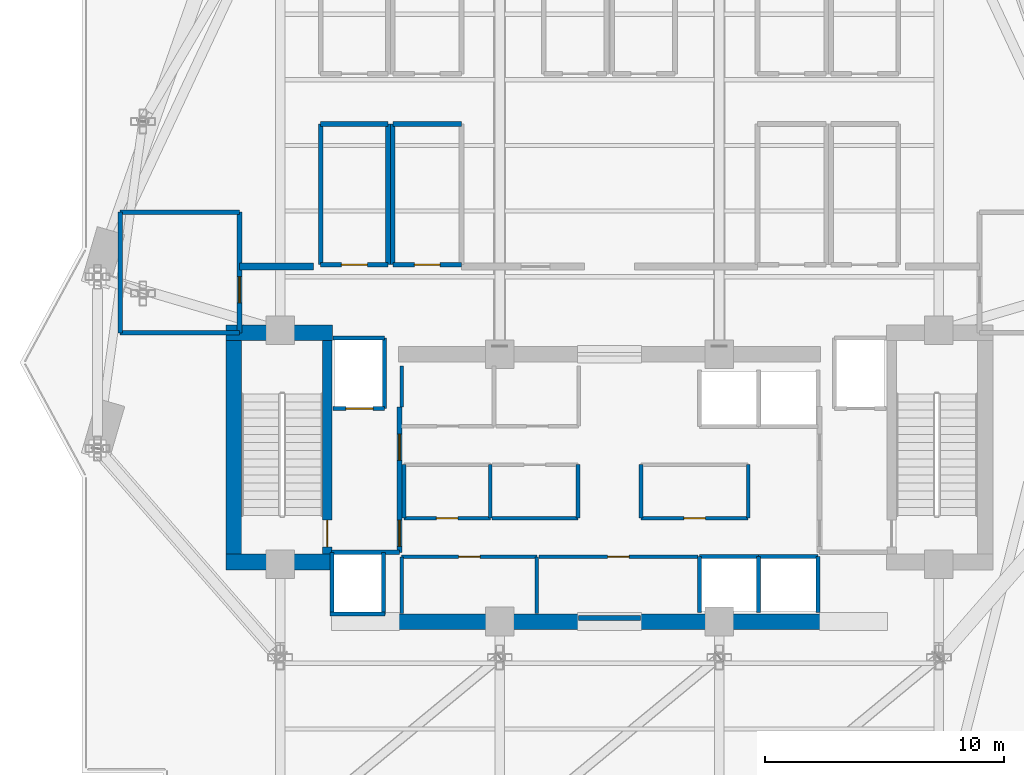
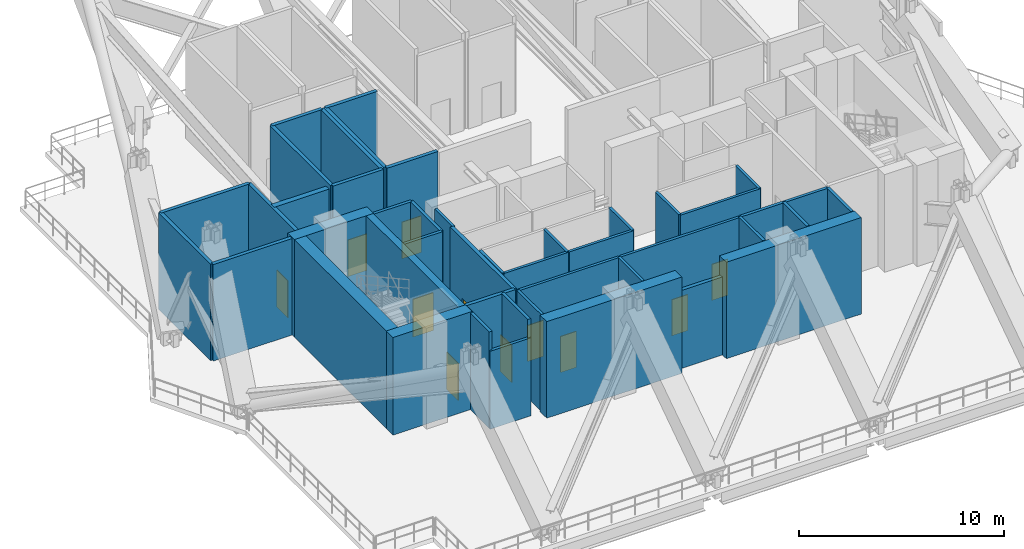
# One storey, part 12 of 18: 45 walls, 11 doors, 11 openings.
"""IFC4 building model written with IfcOpenShell, lengths in metres."""

from ifc_helpers import new_model, si_unit, direction, frame, frame_2d, origin, place, context, subcontext, project, spatial, rectangle, extrude, material, layer, layer_set, type_object, element, fill, save


model = new_model("IFC4")

# Units and contexts
model_context = context("Model", 3, precision=1e-05, world=origin(), true_north=direction((0.0, 1.0)))
body_context = subcontext(model_context, "Body", "Model", "MODEL_VIEW")
ifc_project = project(units=[si_unit("LENGTHUNIT", "METRE"), si_unit("AREAUNIT", "SQUARE_METRE"), si_unit("VOLUMEUNIT", "CUBIC_METRE"), si_unit("PLANEANGLEUNIT", "RADIAN"), si_unit("MASSUNIT", "GRAM", prefix="KILO")], contexts=[model_context])

# Site, building, storey
site_placement = place(None, origin())
site = spatial("IfcSite", under=ifc_project, at=site_placement, CompositionType="ELEMENT")
building_placement = place(site_placement, origin())
building = spatial("IfcBuilding", under=site, at=building_placement, Name="Zuhayl Quay Hotel", CompositionType="ELEMENT")
storey_placement = place(building_placement, frame((0.0, 0.0, 233.64990234375)))
storey = spatial("IfcBuildingStorey", under=building, at=storey_placement, Name="L59", CompositionType="ELEMENT", Elevation=233.64990234375)

# Walls
ifc_material_1 = material(Name="Concrete C50/60", Category="concrete")
ifc_layer_1 = layer(ifc_material_1, 0.64990234375, Name="Concrete C50/60", Category="concrete")
ifc_layer_set_1 = layer_set([ifc_layer_1], Name="Concrete C50/60")
wall_type_1 = type_object("IfcWallType", Name="WL_CORE_650", PredefinedType="SHEAR", material=ifc_layer_set_1)
wall_1_placement = place(storey_placement, frame((-16.06005859375, 14.2548828125, 0.0), z_axis=(0.0, 0.0, 1.0), x_axis=(1.0, 0.0, 0.0)))
element("IfcWall", 1, at=wall_1_placement, inside=storey, type_object=wall_type_1, Name="L59 Core Shear Wall CW_NW", PredefinedType="SHEAR", context=body_context, shape_type="SweptSolid", body=[
    extrude(rectangle(XDim=4.4599609375, YDim=0.64990234375, at=frame_2d((2.22998046875, 0.0))), origin(), (0.0, 0.0, 1.0), 5.81005859375),
])
wall_2_placement = place(storey_placement, frame((-15.735107421875, 4.969970703125, 0.0), z_axis=(0.0, 0.0, 1.0), x_axis=(0.0, 1.0, 0.0)))
element("IfcWall", 2, at=wall_2_placement, inside=storey, type_object=wall_type_1, Name="L59 Core Shear Wall CW_W", PredefinedType="SHEAR", context=body_context, shape_type="SweptSolid", body=[
    extrude(rectangle(XDim=8.9599609375, YDim=0.64990234375, at=frame_2d((4.47998046875, 0.0))), origin(), (0.0, 0.0, 1.0), 5.81005859375),
])
wall_3_placement = place(storey_placement, frame((-16.06005859375, 4.64501953125, 0.0), z_axis=(0.0, 0.0, 1.0), x_axis=(1.0, 0.0, 0.0)))
element("IfcWall", 3, at=wall_3_placement, inside=storey, type_object=wall_type_1, Name="L59 Core Shear Wall CW_SW", PredefinedType="SHEAR", context=body_context, shape_type="SweptSolid", body=[
    extrude(rectangle(XDim=4.4599609375, YDim=0.64990234375, at=frame_2d((2.22998046875, 0.0))), origin(), (0.0, 0.0, 1.0), 5.81005859375),
])
for number, where, z_axis, x_axis, name in (
    (4, (-8.85009765625, 2.14990234375, 0.0), (0.0, 0.0, 1.0), (1.0, 0.0, 0.0), "L59 Core Shear Wall CW_SC_W"),
    (5, (1.25, 2.14990234375, 0.0), (0.0, 0.0, 1.0), (1.0, 0.0, 0.0), "L59 Core Shear Wall CW_SC_E"),
):
    element("IfcWall", number, at=place(storey_placement, frame(where, z_axis=z_axis, x_axis=x_axis)), inside=storey, type_object=wall_type_1, Name=name, PredefinedType="SHEAR", context=body_context, shape_type="SweptSolid", body=[
        extrude(rectangle(XDim=7.60009765625, YDim=0.64990234375, at=frame_2d((3.800048828125, 0.0))), origin(), (0.0, 0.0, 1.0), 5.739990234375),
    ])
ifc_material_2 = material(Name="Precast concrete C45/55", Category="concrete")
ifc_layer_2 = layer(ifc_material_2, 0.300048828125, Name="Precast concrete C45/55", Category="concrete")
ifc_layer_set_2 = layer_set([ifc_layer_2], Name="Precast concrete C45/55")
wall_type_2 = type_object("IfcWallType", Name="WL_EXT_300", PredefinedType="STANDARD", material=ifc_layer_set_2)
wall_4_placement = place(storey_placement, frame((-15.5, 17.030029296875, 0.0), z_axis=(0.0, 0.0, 1.0), x_axis=(1.0, 0.0, 0.0)))
element("IfcWall", 6, at=wall_4_placement, inside=storey, type_object=wall_type_2, Name="L59 Exterior Precast Wall EW_WIND_NW_L59", PredefinedType="STANDARD", context=body_context, shape_type="SweptSolid", body=[
    extrude(rectangle(XDim=3.10009765625, YDim=0.300048828125, at=frame_2d((1.550048828125, 0.0))), origin(), (0.0, 0.0, 1.0), 5.739990234375),
])

# Wall, opening, door
ifc_material_3 = material(Name="Acoustic Gypsum Partition STC-58")
ifc_layer_3 = layer(ifc_material_3, 0.14990234375, Name="Acoustic Gypsum Partition STC-58")
ifc_layer_set_3 = layer_set([ifc_layer_3], Name="Acoustic Gypsum Partition STC-58")
wall_type_3 = type_object("IfcWallType", Name="WL_PART_150", PredefinedType="PARTITIONING", material=ifc_layer_set_3)
wall_5_placement = place(storey_placement, frame((-8.7099609375, 4.860107421875, 0.0), z_axis=(0.0, 0.0, 1.0), x_axis=(1.0, 0.0, 0.0)))
wall_5 = element("IfcWall", 7, at=wall_5_placement, inside=storey, type_object=wall_type_3, Name="L59 Partition IW_L59_FMP_SW_N", PredefinedType="PARTITIONING", context=body_context, shape_type="SweptSolid", body=[
    extrude(rectangle(XDim=5.669921875, YDim=0.14990234375, at=frame_2d((2.8349609375, 0.0))), origin(), (0.0, 0.0, 1.0), 5.739990234375),
])
opening_1_placement = place(wall_5_placement, frame((2.385009765625, 0.0, 0.0)))
opening_1 = element("IfcOpeningElement", 8, at=opening_1_placement, cuts=wall_5, Name="Opening D06", PredefinedType="OPENING", context=body_context, shape_type="SweptSolid", body=[
    extrude(rectangle(XDim=0.89990234375, YDim=2.14990234375, at=frame_2d((0.449951171875, 1.074951171875))), frame((0.0, 0.0849609375, 0.0), z_axis=(0.0, -1.0, 0.0), x_axis=(1.0, 0.0, 0.0)), (0.0, 0.0, 1.0), 0.169921875),
])
ifc_material_4 = material(Name="Steel ASTM A992 Grade 50", Category="steel")
door_type_1 = type_object("IfcDoorType", Name="DR_INT_900", OperationType="NOTDEFINED", PredefinedType="DOOR", material=ifc_material_4)
door_1_placement = place(opening_1_placement, origin())
door_1 = element("IfcDoor", 9, at=door_1_placement, inside=storey, type_object=door_type_1, Name="L59 Sommelier Cellar Pantry Door", OperationType="SINGLE_SWING_LEFT", OverallHeight=2.14990234375, OverallWidth=0.89990234375, PredefinedType="DOOR", context=body_context, shape_type="SweptSolid", body=[
    extrude(rectangle(XDim=0.89990234375, YDim=2.14990234375, at=frame_2d((0.449951171875, 1.074951171875))), frame((0.0, 0.02490234375, 0.0), z_axis=(0.0, -1.0, 0.0), x_axis=(1.0, 0.0, 0.0)), (0.0, 0.0, 1.0), 0.050048828125),
])
fill(opening_1, door_1)

wall_6_placement = place(storey_placement, frame((-2.9599609375, 4.860107421875, 0.0), z_axis=(0.0, 0.0, 1.0), x_axis=(1.0, 0.0, 0.0)))
wall_6 = element("IfcWall", 10, at=wall_6_placement, inside=storey, type_object=wall_type_3, Name="L59 Partition IW_L59_FMP_SE_N", PredefinedType="PARTITIONING", context=body_context, shape_type="SweptSolid", body=[
    extrude(rectangle(XDim=6.669921875, YDim=0.14990234375, at=frame_2d((3.3349609375, 0.0))), origin(), (0.0, 0.0, 1.0), 5.739990234375),
])
opening_2_placement = place(wall_6_placement, frame((2.885009765625, 0.0, 0.0)))
opening_2 = element("IfcOpeningElement", 11, at=opening_2_placement, cuts=wall_6, Name="Opening D06", PredefinedType="OPENING", context=body_context, shape_type="SweptSolid", body=[
    extrude(rectangle(XDim=0.89990234375, YDim=2.14990234375, at=frame_2d((0.449951171875, 1.074951171875))), frame((0.0, 0.0849609375, 0.0), z_axis=(0.0, -1.0, 0.0), x_axis=(1.0, 0.0, 0.0)), (0.0, 0.0, 1.0), 0.169921875),
])
door_2_placement = place(opening_2_placement, origin())
door_2 = element("IfcDoor", 12, at=door_2_placement, inside=storey, type_object=door_type_1, Name="L59 East Butler Store Door", OperationType="SINGLE_SWING_RIGHT", OverallHeight=2.14990234375, OverallWidth=0.89990234375, PredefinedType="DOOR", context=body_context, shape_type="SweptSolid", body=[
    extrude(rectangle(XDim=0.89990234375, YDim=2.14990234375, at=frame_2d((0.449951171875, 1.074951171875))), frame((0.0, 0.02490234375, 0.0), z_axis=(0.0, -1.0, 0.0), x_axis=(1.0, 0.0, 0.0)), (0.0, 0.0, 1.0), 0.050048828125),
])
fill(opening_2, door_2)

wall_7_placement = place(storey_placement, frame((-8.610107421875, 6.47998046875, 0.0), z_axis=(0.0, 0.0, 1.0), x_axis=(1.0, 0.0, 0.0)))
wall_7 = element("IfcWall", 13, at=wall_7_placement, inside=storey, type_object=wall_type_3, Name="L59 Partition IW_L59_CORE_SW_S", PredefinedType="PARTITIONING", context=body_context, shape_type="SweptSolid", body=[
    extrude(rectangle(XDim=3.6201171875, YDim=0.14990234375, at=frame_2d((1.81005859375, 0.0))), origin(), (0.0, 0.0, 1.0), 5.739990234375),
])
opening_3_placement = place(wall_7_placement, frame((1.360107421875, 0.0, 0.0)))
opening_3 = element("IfcOpeningElement", 14, at=opening_3_placement, cuts=wall_7, Name="Opening D06", PredefinedType="OPENING", context=body_context, shape_type="SweptSolid", body=[
    extrude(rectangle(XDim=0.89990234375, YDim=2.14990234375, at=frame_2d((0.449951171875, 1.074951171875))), frame((0.0, 0.0849609375, 0.0), z_axis=(0.0, -1.0, 0.0), x_axis=(1.0, 0.0, 0.0)), (0.0, 0.0, 1.0), 0.169921875),
])
door_3_placement = place(opening_3_placement, origin())
door_3 = element("IfcDoor", 15, at=door_3_placement, inside=storey, type_object=door_type_1, Name="L59 Floor Switchgear Closet Door", OperationType="SINGLE_SWING_LEFT", OverallHeight=2.14990234375, OverallWidth=0.89990234375, PredefinedType="DOOR", context=body_context, shape_type="SweptSolid", body=[
    extrude(rectangle(XDim=0.89990234375, YDim=2.14990234375, at=frame_2d((0.449951171875, 1.074951171875))), frame((0.0, 0.02490234375, 0.0), z_axis=(0.0, -1.0, 0.0), x_axis=(1.0, 0.0, 0.0)), (0.0, 0.0, 1.0), 0.050048828125),
])
fill(opening_3, door_3)

wall_8_placement = place(storey_placement, frame((1.320068359375, 6.47998046875, 0.0), z_axis=(0.0, 0.0, 1.0), x_axis=(1.0, 0.0, 0.0)))
wall_8 = element("IfcWall", 16, at=wall_8_placement, inside=storey, type_object=wall_type_3, Name="L59 Partition IW_L59_CORE_PN_S", PredefinedType="PARTITIONING", context=body_context, shape_type="SweptSolid", body=[
    extrude(rectangle(XDim=4.489990234375, YDim=0.14990234375, at=frame_2d((2.2451171875, 0.0))), origin(), (0.0, 0.0, 1.0), 5.739990234375),
])
opening_4_placement = place(wall_8_placement, frame((1.794921875, 0.0, 0.0)))
opening_4 = element("IfcOpeningElement", 17, at=opening_4_placement, cuts=wall_8, Name="Opening D06", PredefinedType="OPENING", context=body_context, shape_type="SweptSolid", body=[
    extrude(rectangle(XDim=0.89990234375, YDim=2.14990234375, at=frame_2d((0.449951171875, 1.074951171875))), frame((0.0, 0.0849609375, 0.0), z_axis=(0.0, -1.0, 0.0), x_axis=(1.0, 0.0, 0.0)), (0.0, 0.0, 1.0), 0.169921875),
])
door_4_placement = place(opening_4_placement, origin())
door_4 = element("IfcDoor", 18, at=door_4_placement, inside=storey, type_object=door_type_1, Name="L59 Core Ice and Pantry Room Door", OperationType="SINGLE_SWING_LEFT", OverallHeight=2.14990234375, OverallWidth=0.89990234375, PredefinedType="DOOR", context=body_context, shape_type="SweptSolid", body=[
    extrude(rectangle(XDim=0.89990234375, YDim=2.14990234375, at=frame_2d((0.449951171875, 1.074951171875))), frame((0.0, 0.02490234375, 0.0), z_axis=(0.0, -1.0, 0.0), x_axis=(1.0, 0.0, 0.0)), (0.0, 0.0, 1.0), 0.050048828125),
])
fill(opening_4, door_4)

# Walls
for number, where, z_axis, x_axis, name in (
    (19, (-8.7099609375, 2.489990234375, 0.0), (0.0, 0.0, 1.0), (0.0, 1.0, 0.0), "L59 Partition IW_L59_FMP_SW_W"),
    (20, (-3.0400390625, 2.489990234375, 0.0), (0.0, 0.0, 1.0), (0.0, 1.0, 0.0), "L59 Partition IW_L59_FMP_SW_E"),
):
    element("IfcWall", number, at=place(storey_placement, frame(where, z_axis=z_axis, x_axis=x_axis)), inside=storey, type_object=wall_type_3, Name=name, PredefinedType="PARTITIONING", context=body_context, shape_type="SweptSolid", body=[
        extrude(rectangle(XDim=2.3701171875, YDim=0.14990234375, at=frame_2d((1.18505859375, 0.0))), origin(), (0.0, 0.0, 1.0), 5.739990234375),
    ])
wall_9_placement = place(storey_placement, frame((-8.7099609375, 11.14990234375, 0.0), z_axis=(0.0, 0.0, 1.0), x_axis=(0.0, 1.0, 0.0)))
element("IfcWall", 21, at=wall_9_placement, inside=storey, type_object=wall_type_3, Name="L59 Partition IW_L59_FMP_NW1_W", PredefinedType="PARTITIONING", context=body_context, shape_type="SweptSolid", body=[
    extrude(rectangle(XDim=1.710205078125, YDim=0.14990234375, at=frame_2d((0.85498046875, 0.0))), origin(), (0.0, 0.0, 1.0), 5.739990234375),
])
for number, where, z_axis, x_axis, name in (
    (22, (-8.610107421875, 6.47998046875, 0.0), (0.0, 0.0, 1.0), (0.0, 1.0, 0.0), "L59 Partition IW_L59_CORE_SW_W"),
    (23, (-4.989990234375, 6.47998046875, 0.0), (0.0, 0.0, 1.0), (0.0, 1.0, 0.0), "L59 Partition IW_L59_CORE_SW_E"),
):
    element("IfcWall", number, at=place(storey_placement, frame(where, z_axis=z_axis, x_axis=x_axis)), inside=storey, type_object=wall_type_3, Name=name, PredefinedType="PARTITIONING", context=body_context, shape_type="SweptSolid", body=[
        extrude(rectangle(XDim=2.239990234375, YDim=0.14990234375, at=frame_2d((1.1201171875, 0.0))), origin(), (0.0, 0.0, 1.0), 5.739990234375),
    ])
wall_10_placement = place(storey_placement, frame((-4.929931640625, 6.47998046875, 0.0), z_axis=(0.0, 0.0, 1.0), x_axis=(1.0, 0.0, 0.0)))
element("IfcWall", 24, at=wall_10_placement, inside=storey, type_object=wall_type_3, Name="L59 Partition IW_L59_CORE_BM_S", PredefinedType="PARTITIONING", context=body_context, shape_type="SweptSolid", body=[
    extrude(rectangle(XDim=3.60986328125, YDim=0.14990234375, at=frame_2d((1.804931640625, 0.0))), origin(), (0.0, 0.0, 1.0), 5.739990234375),
])
for number, where, z_axis, x_axis, name in (
    (25, (-1.320068359375, 6.47998046875, 0.0), (0.0, 0.0, 1.0), (0.0, 1.0, 0.0), "L59 Partition IW_L59_CORE_BM_E"),
    (26, (1.320068359375, 6.47998046875, 0.0), (0.0, 0.0, 1.0), (0.0, 1.0, 0.0), "L59 Partition IW_L59_CORE_PN_W"),
    (27, (5.81005859375, 6.47998046875, 0.0), (0.0, 0.0, 1.0), (0.0, 1.0, 0.0), "L59 Partition IW_L59_CORE_PN_E"),
):
    element("IfcWall", number, at=place(storey_placement, frame(where, z_axis=z_axis, x_axis=x_axis)), inside=storey, type_object=wall_type_3, Name=name, PredefinedType="PARTITIONING", context=body_context, shape_type="SweptSolid", body=[
        extrude(rectangle(XDim=2.239990234375, YDim=0.14990234375, at=frame_2d((1.1201171875, 0.0))), origin(), (0.0, 0.0, 1.0), 5.739990234375),
    ])

# Wall, opening, door
ifc_material_5 = material(Name="Gypsum Fireboard Assembly EI-90")
ifc_layer_4 = layer(ifc_material_5, 0.1650390625, Name="Gypsum Fireboard Assembly EI-90")
ifc_layer_set_4 = layer_set([ifc_layer_4], Name="Gypsum Fireboard Assembly EI-90")
wall_type_4 = type_object("IfcWallType", Name="WL_PART_SHAFT_160", PredefinedType="PARTITIONING", material=ifc_layer_set_4)
wall_11_placement = place(storey_placement, frame((-11.580078125, 11.070068359375, 0.0), z_axis=(0.0, 0.0, 1.0), x_axis=(1.0, 0.0, 0.0)))
wall_11 = element("IfcWall", 28, at=wall_11_placement, inside=storey, type_object=wall_type_4, Name="L59 Partition IW_L59_SH_FL1_F", PredefinedType="PARTITIONING", context=body_context, shape_type="SweptSolid", body=[
    extrude(rectangle(XDim=2.16015625, YDim=0.1650390625, at=frame_2d((1.080078125, 0.0))), origin(), (0.0, 0.0, 1.0), 5.739990234375),
])
opening_5_placement = place(wall_11_placement, frame((0.530029296875, 0.0, 0.0)))
opening_5 = element("IfcOpeningElement", 29, at=opening_5_placement, cuts=wall_11, Name="Opening LD2", PredefinedType="OPENING", context=body_context, shape_type="SweptSolid", body=[
    extrude(rectangle(XDim=1.14990234375, YDim=2.25, at=frame_2d((0.574951171875, 1.125))), frame((0.0, 0.092529296875, 0.0), z_axis=(0.0, -1.0, 0.0), x_axis=(1.0, 0.0, 0.0)), (0.0, 0.0, 1.0), 0.18505859375),
])
ifc_material_6 = material(Name="Brushed Stainless Steel", Category="steel")
door_type_2 = type_object("IfcDoorType", Name="DR_LIFT_FF_1100", OperationType="SLIDING_TO_LEFT", PredefinedType="DOOR", material=ifc_material_6)
door_5_placement = place(opening_5_placement, origin())
door_5 = element("IfcDoor", 30, at=door_5_placement, inside=storey, type_object=door_type_2, Name="L59 Lift FL1 Sliding Landing Door", OperationType="SLIDING_TO_LEFT", OverallHeight=2.25, OverallWidth=1.14990234375, PredefinedType="DOOR", context=body_context, shape_type="SweptSolid", body=[
    extrude(rectangle(XDim=1.14990234375, YDim=2.25, at=frame_2d((0.574951171875, 1.125))), frame((0.0, 0.02490234375, 0.0), z_axis=(0.0, -1.0, 0.0), x_axis=(1.0, 0.0, 0.0)), (0.0, 0.0, 1.0), 0.050048828125),
])
fill(opening_5, door_5)

# Walls
wall_12_placement = place(storey_placement, frame((-9.419921875, 11.070068359375, 0.0), z_axis=(0.0, 0.0, 1.0), x_axis=(0.0, 1.0, 0.0)))
element("IfcWall", 31, at=wall_12_placement, inside=storey, type_object=wall_type_4, Name="L59 Partition IW_L59_SH_FL1_E", PredefinedType="PARTITIONING", context=body_context, shape_type="SweptSolid", body=[
    extrude(rectangle(XDim=2.9599609375, YDim=0.1650390625, at=frame_2d((1.47998046875, 0.0))), origin(), (0.0, 0.0, 1.0), 5.739990234375),
])
wall_13_placement = place(storey_placement, frame((-11.580078125, 14.030029296875, 0.0), z_axis=(0.0, 0.0, 1.0), x_axis=(1.0, 0.0, 0.0)))
element("IfcWall", 32, at=wall_13_placement, inside=storey, type_object=wall_type_4, Name="L59 Partition IW_L59_SH_FL1_B", PredefinedType="PARTITIONING", context=body_context, shape_type="SweptSolid", body=[
    extrude(rectangle(XDim=2.16015625, YDim=0.1650390625, at=frame_2d((1.080078125, 0.0))), origin(), (0.0, 0.0, 1.0), 5.739990234375),
])
wall_14_placement = place(storey_placement, frame((3.77001953125, 4.8798828125, 0.0), z_axis=(0.0, 0.0, 1.0), x_axis=(1.0, 0.0, 0.0)))
element("IfcWall", 33, at=wall_14_placement, inside=storey, type_object=wall_type_4, Name="L59 Partition IW_L59_SH_HP1_F", PredefinedType="PARTITIONING", context=body_context, shape_type="SweptSolid", body=[
    extrude(rectangle(XDim=2.47998046875, YDim=0.1650390625, at=frame_2d((1.239990234375, 0.0))), origin(), (0.0, 0.0, 1.0), 5.739990234375),
])
for number, where, z_axis, x_axis, name in (
    (34, (3.77001953125, 2.52001953125, 0.0), (0.0, 0.0, 1.0), (0.0, 1.0, 0.0), "L59 Partition IW_L59_SH_HP1_W"),
    (35, (6.25, 2.52001953125, 0.0), (0.0, 0.0, 1.0), (0.0, 1.0, 0.0), "L59 Partition IW_L59_SH_HP1_E"),
):
    element("IfcWall", number, at=place(storey_placement, frame(where, z_axis=z_axis, x_axis=x_axis)), inside=storey, type_object=wall_type_4, Name=name, PredefinedType="PARTITIONING", context=body_context, shape_type="SweptSolid", body=[
        extrude(rectangle(XDim=2.35986328125, YDim=0.1650390625, at=frame_2d((1.179931640625, 0.0))), origin(), (0.0, 0.0, 1.0), 5.739990234375),
    ])
wall_15_placement = place(storey_placement, frame((6.25, 4.8798828125, 0.0), z_axis=(0.0, 0.0, 1.0), x_axis=(1.0, 0.0, 0.0)))
element("IfcWall", 36, at=wall_15_placement, inside=storey, type_object=wall_type_4, Name="L59 Partition IW_L59_SH_HP2_F", PredefinedType="PARTITIONING", context=body_context, shape_type="SweptSolid", body=[
    extrude(rectangle(XDim=2.47998046875, YDim=0.1650390625, at=frame_2d((1.239990234375, 0.0))), origin(), (0.0, 0.0, 1.0), 5.739990234375),
])
wall_16_placement = place(storey_placement, frame((8.72998046875, 2.52001953125, 0.0), z_axis=(0.0, 0.0, 1.0), x_axis=(0.0, 1.0, 0.0)))
element("IfcWall", 37, at=wall_16_placement, inside=storey, type_object=wall_type_4, Name="L59 Partition IW_L59_SH_HP2_E", PredefinedType="PARTITIONING", context=body_context, shape_type="SweptSolid", body=[
    extrude(rectangle(XDim=2.35986328125, YDim=0.1650390625, at=frame_2d((1.179931640625, 0.0))), origin(), (0.0, 0.0, 1.0), 5.739990234375),
])
wall_17_placement = place(storey_placement, frame((-11.6298828125, 2.469970703125, 0.0), z_axis=(0.0, 0.0, 1.0), x_axis=(0.0, 1.0, 0.0)))
element("IfcWall", 38, at=wall_17_placement, inside=storey, type_object=wall_type_4, Name="L59 Partition IW_L59_RISER_W", PredefinedType="PARTITIONING", context=body_context, shape_type="SweptSolid", body=[
    extrude(rectangle(XDim=2.580078125, YDim=0.1650390625, at=frame_2d((1.2900390625, 0.0))), origin(), (0.0, 0.0, 1.0), 5.739990234375),
])
wall_18_placement = place(storey_placement, frame((-11.7099609375, 2.469970703125, 0.0), z_axis=(0.0, 0.0, 1.0), x_axis=(1.0, 0.0, 0.0)))
element("IfcWall", 39, at=wall_18_placement, inside=storey, type_object=wall_type_4, Name="L59 Partition IW_L59_RISER_S", PredefinedType="PARTITIONING", context=body_context, shape_type="SweptSolid", body=[
    extrude(rectangle(XDim=2.31005859375, YDim=0.1650390625, at=frame_2d((1.155029296875, 0.0))), origin(), (0.0, 0.0, 1.0), 4.64013671875),
])
ifc_layer_5 = layer(ifc_material_5, 0.179931640625, Name="Gypsum Fireboard Assembly EI-90")
ifc_layer_set_5 = layer_set([ifc_layer_5], Name="Gypsum Fireboard Assembly EI-90")
wall_type_5 = type_object("IfcWallType", Name="WL_PART_SHAFT_180", PredefinedType="PARTITIONING", material=ifc_layer_set_5)
wall_19_placement = place(storey_placement, frame((-9.469970703125, 2.449951171875, 0.0), z_axis=(0.0, 0.0, 1.0), x_axis=(0.0, 1.0, 0.0)))
element("IfcWall", 40, at=wall_19_placement, inside=storey, type_object=wall_type_5, Name="L59 Partition IW_L59_RISER_E", PredefinedType="PARTITIONING", context=body_context, shape_type="SweptSolid", body=[
    extrude(rectangle(XDim=2.60009765625, YDim=0.179931640625, at=frame_2d((1.300048828125, 0.0))), origin(), (0.0, 0.0, 1.0), 5.739990234375),
])

# Wall, openings, doors
ifc_material_7 = material(Name="Gypsum Fireboard Assembly EI-120")
ifc_layer_6 = layer(ifc_material_7, 0.199951171875, Name="Gypsum Fireboard Assembly EI-120")
ifc_layer_set_6 = layer_set([ifc_layer_6], Name="Gypsum Fireboard Assembly EI-120")
wall_type_6 = type_object("IfcWallType", Name="WL_PART_SHAFT_200", PredefinedType="PARTITIONING", material=ifc_layer_set_6)
wall_20_placement = place(storey_placement, frame((-8.800048828125, 5.050048828125, 0.0), z_axis=(0.0, 0.0, 1.0), x_axis=(0.0, 1.0, 0.0)))
wall_20 = element("IfcWall", 41, at=wall_20_placement, inside=storey, type_object=wall_type_6, Name="L59 Partition IW_L59_FSAE_W_E", PredefinedType="PARTITIONING", context=body_context, shape_type="SweptSolid", body=[
    extrude(rectangle(XDim=6.099853515625, YDim=0.199951171875, at=frame_2d((3.0498046875, 0.0))), origin(), (0.0, 0.0, 1.0), 5.739990234375),
])
opening_6_placement = place(wall_20_placement, frame((0.25, 0.0, 0.0)))
opening_6 = element("IfcOpeningElement", 42, at=opening_6_placement, cuts=wall_20, Name="Opening D02", PredefinedType="OPENING", context=body_context, shape_type="SweptSolid", body=[
    extrude(rectangle(XDim=1.10009765625, YDim=2.199951171875, at=frame_2d((0.550048828125, 1.10009765625))), frame((0.0, 0.10986328125, 0.0), z_axis=(0.0, -1.0, 0.0), x_axis=(1.0, 0.0, 0.0)), (0.0, 0.0, 1.0), 0.219970703125),
])
opening_7_placement = place(wall_20_placement, frame((3.85009765625, 0.0, 0.0)))
opening_7 = element("IfcOpeningElement", 43, at=opening_7_placement, cuts=wall_20, Name="Opening D02", PredefinedType="OPENING", context=body_context, shape_type="SweptSolid", body=[
    extrude(rectangle(XDim=1.10009765625, YDim=2.199951171875, at=frame_2d((0.550048828125, 1.10009765625))), frame((0.0, 0.10986328125, 0.0), z_axis=(0.0, -1.0, 0.0), x_axis=(1.0, 0.0, 0.0)), (0.0, 0.0, 1.0), 0.219970703125),
])
door_type_3 = type_object("IfcDoorType", Name="DR_FIRE_90_1100", OperationType="NOTDEFINED", PredefinedType="DOOR", material=ifc_material_4)
door_6_placement = place(opening_6_placement, origin())
door_6 = element("IfcDoor", 44, at=door_6_placement, inside=storey, type_object=door_type_3, Name="L59 FSAE Lobby West South Entry Door", OperationType="SINGLE_SWING_LEFT", OverallHeight=2.199951171875, OverallWidth=1.10009765625, PredefinedType="DOOR", context=body_context, shape_type="SweptSolid", body=[
    extrude(rectangle(XDim=1.10009765625, YDim=2.199951171875, at=frame_2d((0.550048828125, 1.10009765625))), frame((0.0, 0.02490234375, 0.0), z_axis=(0.0, -1.0, 0.0), x_axis=(1.0, 0.0, 0.0)), (0.0, 0.0, 1.0), 0.050048828125),
])
fill(opening_6, door_6)
door_7_placement = place(opening_7_placement, origin())
door_7 = element("IfcDoor", 45, at=door_7_placement, inside=storey, type_object=door_type_3, Name="L59 FSAE Lobby West North Entry Door", OperationType="SINGLE_SWING_RIGHT", OverallHeight=2.199951171875, OverallWidth=1.10009765625, PredefinedType="DOOR", context=body_context, shape_type="SweptSolid", body=[
    extrude(rectangle(XDim=1.10009765625, YDim=2.199951171875, at=frame_2d((0.550048828125, 1.10009765625))), frame((0.0, 0.02490234375, 0.0), z_axis=(0.0, -1.0, 0.0), x_axis=(1.0, 0.0, 0.0)), (0.0, 0.0, 1.0), 0.050048828125),
])
fill(opening_7, door_7)

# Wall, opening, door
wall_21_placement = place(storey_placement, frame((-15.5, 14.25, 0.0), z_axis=(0.0, 0.0, 1.0), x_axis=(0.0, 1.0, 0.0)))
wall_21 = element("IfcWall", 46, at=wall_21_placement, inside=storey, type_object=wall_type_6, Name="L59 Partition IW_L59_REF_W_E", PredefinedType="PARTITIONING", context=body_context, shape_type="SweptSolid", body=[
    extrude(rectangle(XDim=5.050048828125, YDim=0.199951171875, at=frame_2d((2.52490234375, 0.0))), origin(), (0.0, 0.0, 1.0), 5.739990234375),
])
opening_8_placement = place(wall_21_placement, frame((1.25, 0.0, 0.0)))
opening_8 = element("IfcOpeningElement", 47, at=opening_8_placement, cuts=wall_21, Name="Opening D02", PredefinedType="OPENING", context=body_context, shape_type="SweptSolid", body=[
    extrude(rectangle(XDim=1.10009765625, YDim=2.199951171875, at=frame_2d((0.550048828125, 1.10009765625))), frame((0.0, 0.10986328125, 0.0), z_axis=(0.0, -1.0, 0.0), x_axis=(1.0, 0.0, 0.0)), (0.0, 0.0, 1.0), 0.219970703125),
])
door_8_placement = place(opening_8_placement, origin())
door_8 = element("IfcDoor", 48, at=door_8_placement, inside=storey, type_object=door_type_3, Name="L59 West Refuge Area Door", OperationType="SINGLE_SWING_RIGHT", OverallHeight=2.199951171875, OverallWidth=1.10009765625, PredefinedType="DOOR", context=body_context, shape_type="SweptSolid", body=[
    extrude(rectangle(XDim=1.10009765625, YDim=2.199951171875, at=frame_2d((0.550048828125, 1.10009765625))), frame((0.0, 0.02490234375, 0.0), z_axis=(0.0, -1.0, 0.0), x_axis=(1.0, 0.0, 0.0)), (0.0, 0.0, 1.0), 0.050048828125),
])
fill(opening_8, door_8)

wall_22_placement = place(storey_placement, frame((-12.10009765625, 17.10009765625, 0.0), z_axis=(0.0, 0.0, 1.0), x_axis=(1.0, 0.0, 0.0)))
wall_22 = element("IfcWall", 49, at=wall_22_placement, inside=storey, type_object=wall_type_6, Name="L59 Partition IW_L59_MEP_HEX1_S", PredefinedType="PARTITIONING", context=body_context, shape_type="SweptSolid", body=[
    extrude(rectangle(XDim=2.820068359375, YDim=0.199951171875, at=frame_2d((1.41015625, 0.0))), origin(), (0.0, 0.0, 1.0), 5.739990234375),
])
opening_9_placement = place(wall_22_placement, frame((0.8701171875, 0.0, 0.0)))
opening_9 = element("IfcOpeningElement", 50, at=opening_9_placement, cuts=wall_22, Name="Opening D05A", PredefinedType="OPENING", context=body_context, shape_type="SweptSolid", body=[
    extrude(rectangle(XDim=1.080078125, YDim=2.179931640625, at=frame_2d((0.5400390625, 1.08984375))), frame((0.0, 0.10986328125, 0.0), z_axis=(0.0, -1.0, 0.0), x_axis=(1.0, 0.0, 0.0)), (0.0, 0.0, 1.0), 0.219970703125),
])
ifc_material_8 = material(Name="Solid Walnut Acoustic Fire Door")
door_type_4 = type_object("IfcDoorType", Name="DR_INT_1100", OperationType="NOTDEFINED", PredefinedType="DOOR", material=ifc_material_8)
door_9_placement = place(opening_9_placement, origin())
door_9 = element("IfcDoor", 51, at=door_9_placement, inside=storey, type_object=door_type_4, Name="L59 Chiller Plant Room 1 Door", OperationType="SINGLE_SWING_RIGHT", OverallHeight=2.179931640625, OverallWidth=1.080078125, PredefinedType="DOOR", context=body_context, shape_type="SweptSolid", body=[
    extrude(rectangle(XDim=1.080078125, YDim=2.179931640625, at=frame_2d((0.5400390625, 1.08984375))), frame((0.0, 0.02490234375, 0.0), z_axis=(0.0, -1.0, 0.0), x_axis=(1.0, 0.0, 0.0)), (0.0, 0.0, 1.0), 0.050048828125),
])
fill(opening_9, door_9)

wall_23_placement = place(storey_placement, frame((-9.080078125, 17.10009765625, 0.0), z_axis=(0.0, 0.0, 1.0), x_axis=(1.0, 0.0, 0.0)))
wall_23 = element("IfcWall", 52, at=wall_23_placement, inside=storey, type_object=wall_type_6, Name="L59 Partition IW_L59_MEP_HEX2_S", PredefinedType="PARTITIONING", context=body_context, shape_type="SweptSolid", body=[
    extrude(rectangle(XDim=2.880126953125, YDim=0.199951171875, at=frame_2d((1.43994140625, 0.0))), origin(), (0.0, 0.0, 1.0), 5.739990234375),
])
opening_10_placement = place(wall_23_placement, frame((0.89990234375, 0.0, 0.0)))
opening_10 = element("IfcOpeningElement", 53, at=opening_10_placement, cuts=wall_23, Name="Opening D05A", PredefinedType="OPENING", context=body_context, shape_type="SweptSolid", body=[
    extrude(rectangle(XDim=1.080078125, YDim=2.179931640625, at=frame_2d((0.5400390625, 1.08984375))), frame((0.0, 0.10986328125, 0.0), z_axis=(0.0, -1.0, 0.0), x_axis=(1.0, 0.0, 0.0)), (0.0, 0.0, 1.0), 0.219970703125),
])
door_10_placement = place(opening_10_placement, origin())
door_10 = element("IfcDoor", 54, at=door_10_placement, inside=storey, type_object=door_type_4, Name="L59 Chiller Plant Room 2 Door", OperationType="SINGLE_SWING_LEFT", OverallHeight=2.179931640625, OverallWidth=1.080078125, PredefinedType="DOOR", context=body_context, shape_type="SweptSolid", body=[
    extrude(rectangle(XDim=1.080078125, YDim=2.179931640625, at=frame_2d((0.5400390625, 1.08984375))), frame((0.0, 0.02490234375, 0.0), z_axis=(0.0, -1.0, 0.0), x_axis=(1.0, 0.0, 0.0)), (0.0, 0.0, 1.0), 0.050048828125),
])
fill(opening_10, door_10)

# Walls
wall_24_placement = place(storey_placement, frame((-11.64990234375, 5.050048828125, 0.0), z_axis=(0.0, 0.0, 1.0), x_axis=(1.0, 0.0, 0.0)))
element("IfcWall", 55, at=wall_24_placement, inside=storey, type_object=wall_type_6, Name="L59 Partition IW_L59_FSAE_W_S", PredefinedType="PARTITIONING", context=body_context, shape_type="SweptSolid", body=[
    extrude(rectangle(XDim=2.849853515625, YDim=0.199951171875, at=frame_2d((1.4248046875, 0.0))), origin(), (0.0, 0.0, 1.0), 5.739990234375),
])
wall_25_placement = place(storey_placement, frame((-1.300048828125, 2.300048828125, 0.0), z_axis=(0.0, 0.0, 1.0), x_axis=(1.0, 0.0, 0.0)))
element("IfcWall", 56, at=wall_25_placement, inside=storey, type_object=wall_type_6, Name="L59 Partition IW_L59_CORE_SCM", PredefinedType="PARTITIONING", context=body_context, shape_type="SweptSolid", body=[
    extrude(rectangle(XDim=2.60009765625, YDim=0.199951171875, at=frame_2d((1.300048828125, 0.0))), origin(), (0.0, 0.0, 1.0), 4.64013671875),
])
wall_26_placement = place(storey_placement, frame((-20.5, 14.25, 0.0), z_axis=(0.0, 0.0, 1.0), x_axis=(0.0, 1.0, 0.0)))
element("IfcWall", 57, at=wall_26_placement, inside=storey, type_object=wall_type_6, Name="L59 Partition IW_L59_REF_W_W", PredefinedType="PARTITIONING", context=body_context, shape_type="SweptSolid", body=[
    extrude(rectangle(XDim=5.050048828125, YDim=0.199951171875, at=frame_2d((2.52490234375, 0.0))), origin(), (0.0, 0.0, 1.0), 5.739990234375),
])
for number, where, z_axis, x_axis, name in (
    (58, (-20.5, 19.300048828125, 0.0), (0.0, 0.0, 1.0), (1.0, 0.0, 0.0), "L59 Partition IW_L59_REF_W_N"),
    (59, (-20.5, 14.25, 0.0), (0.0, 0.0, 1.0), (1.0, 0.0, 0.0), "L59 Partition IW_L59_REF_W_S"),
):
    element("IfcWall", number, at=place(storey_placement, frame(where, z_axis=z_axis, x_axis=x_axis)), inside=storey, type_object=wall_type_6, Name=name, PredefinedType="PARTITIONING", context=body_context, shape_type="SweptSolid", body=[
        extrude(rectangle(XDim=5.0, YDim=0.199951171875, at=frame_2d((2.5, 0.0))), origin(), (0.0, 0.0, 1.0), 5.739990234375),
    ])
wall_27_placement = place(storey_placement, frame((-12.10009765625, 23.0, 0.0), z_axis=(0.0, 0.0, 1.0), x_axis=(1.0, 0.0, 0.0)))
element("IfcWall", 60, at=wall_27_placement, inside=storey, type_object=wall_type_6, Name="L59 Partition IW_L59_MEP_HEX1_N", PredefinedType="PARTITIONING", context=body_context, shape_type="SweptSolid", body=[
    extrude(rectangle(XDim=2.820068359375, YDim=0.199951171875, at=frame_2d((1.41015625, 0.0))), origin(), (0.0, 0.0, 1.0), 5.739990234375),
])
for number, where, z_axis, x_axis, name in (
    (61, (-12.10009765625, 17.10009765625, 0.0), (0.0, 0.0, 1.0), (0.0, 1.0, 0.0), "L59 Partition IW_L59_MEP_HEX1_W"),
    (62, (-9.280029296875, 17.10009765625, 0.0), (0.0, 0.0, 1.0), (0.0, 1.0, 0.0), "L59 Partition IW_L59_MEP_HEX1_E"),
):
    element("IfcWall", number, at=place(storey_placement, frame(where, z_axis=z_axis, x_axis=x_axis)), inside=storey, type_object=wall_type_6, Name=name, PredefinedType="PARTITIONING", context=body_context, shape_type="SweptSolid", body=[
        extrude(rectangle(XDim=5.89990234375, YDim=0.199951171875, at=frame_2d((2.949951171875, 0.0))), origin(), (0.0, 0.0, 1.0), 5.739990234375),
    ])
wall_28_placement = place(storey_placement, frame((-9.080078125, 23.0, 0.0), z_axis=(0.0, 0.0, 1.0), x_axis=(1.0, 0.0, 0.0)))
element("IfcWall", 63, at=wall_28_placement, inside=storey, type_object=wall_type_6, Name="L59 Partition IW_L59_MEP_HEX2_N", PredefinedType="PARTITIONING", context=body_context, shape_type="SweptSolid", body=[
    extrude(rectangle(XDim=2.880126953125, YDim=0.199951171875, at=frame_2d((1.43994140625, 0.0))), origin(), (0.0, 0.0, 1.0), 5.739990234375),
])
wall_29_placement = place(storey_placement, frame((-9.080078125, 17.10009765625, 0.0), z_axis=(0.0, 0.0, 1.0), x_axis=(0.0, 1.0, 0.0)))
element("IfcWall", 64, at=wall_29_placement, inside=storey, type_object=wall_type_6, Name="L59 Partition IW_L59_MEP_HEX2_W", PredefinedType="PARTITIONING", context=body_context, shape_type="SweptSolid", body=[
    extrude(rectangle(XDim=5.89990234375, YDim=0.199951171875, at=frame_2d((2.949951171875, 0.0))), origin(), (0.0, 0.0, 1.0), 5.739990234375),
])

# Wall, opening, door
ifc_material_9 = material(Name="Concrete C60/75", Category="concrete")
ifc_layer_7 = layer(ifc_material_9, 0.39990234375, Name="Concrete C60/75", Category="concrete")
ifc_layer_set_7 = layer_set([ifc_layer_7], Name="Concrete C60/75")
wall_type_7 = type_object("IfcWallType", Name="WL_STAIR_400", PredefinedType="SHEAR", material=ifc_layer_set_7)
wall_30_placement = place(storey_placement, frame((-11.820068359375, 4.969970703125, 0.0), z_axis=(0.0, 0.0, 1.0), x_axis=(0.0, 1.0, 0.0)))
wall_30 = element("IfcWall", 65, at=wall_30_placement, inside=storey, type_object=wall_type_7, Name="L59 Core Shear Wall SW_ST1", PredefinedType="SHEAR", context=body_context, shape_type="SweptSolid", body=[
    extrude(rectangle(XDim=8.9599609375, YDim=0.39990234375, at=frame_2d((4.47998046875, 0.0))), origin(), (0.0, 0.0, 1.0), 5.81005859375),
])
opening_11_placement = place(wall_30_placement, frame((0.31005859375, 0.0, 0.0)))
opening_11 = element("IfcOpeningElement", 66, at=opening_11_placement, cuts=wall_30, Name="Opening D01", PredefinedType="OPENING", context=body_context, shape_type="SweptSolid", body=[
    extrude(rectangle(XDim=1.1201171875, YDim=2.219970703125, at=frame_2d((0.56005859375, 1.10986328125))), frame((0.0, 0.2099609375, 0.0), z_axis=(0.0, -1.0, 0.0), x_axis=(1.0, 0.0, 0.0)), (0.0, 0.0, 1.0), 0.419921875),
])
door_type_5 = type_object("IfcDoorType", Name="DR_STAIR_90_1100", OperationType="NOTDEFINED", PredefinedType="DOOR", material=ifc_material_4)
door_11_placement = place(opening_11_placement, origin())
door_11 = element("IfcDoor", 67, at=door_11_placement, inside=storey, type_object=door_type_5, Name="L59 Smokeproof Exit Stair ST1 Door", OperationType="SINGLE_SWING_LEFT", OverallHeight=2.219970703125, OverallWidth=1.1201171875, PredefinedType="DOOR", context=body_context, shape_type="SweptSolid", body=[
    extrude(rectangle(XDim=1.1201171875, YDim=2.219970703125, at=frame_2d((0.56005859375, 1.10986328125))), frame((0.0, 0.02490234375, 0.0), z_axis=(0.0, -1.0, 0.0), x_axis=(1.0, 0.0, 0.0)), (0.0, 0.0, 1.0), 0.050048828125),
])
fill(opening_11, door_11)

save(model, "model.ifc")
